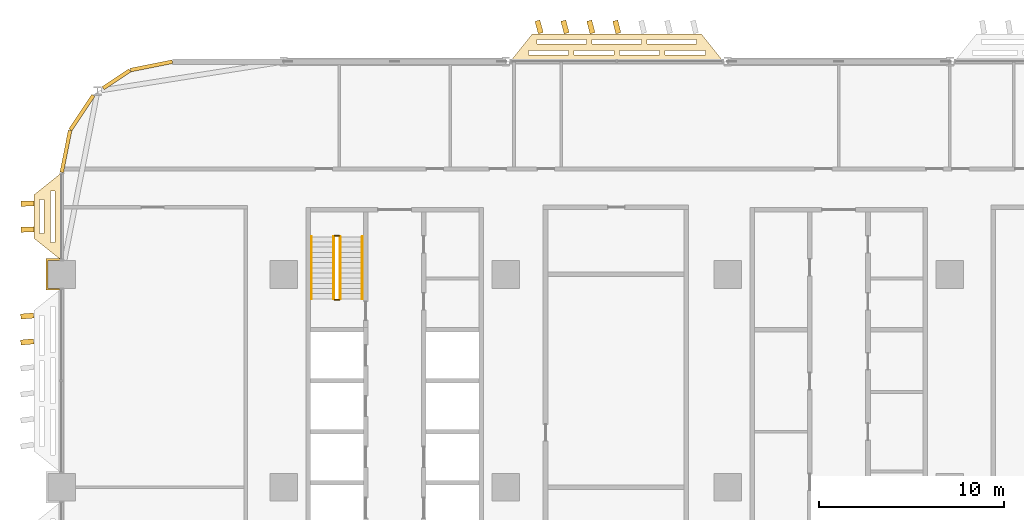
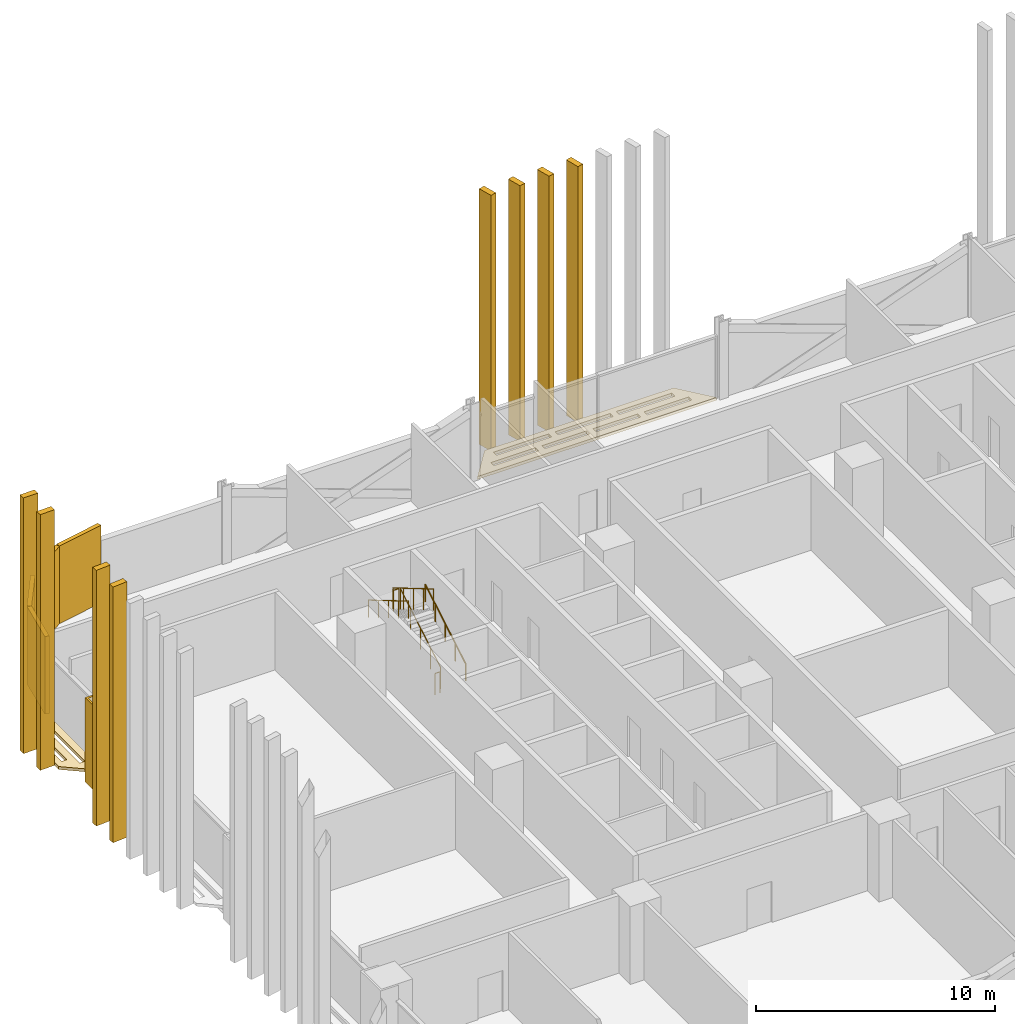
# One storey, part 26 of 29: 15 coverings, 6 railings.
"""IFC4 building model written with IfcOpenShell, lengths in metres."""

from ifc_helpers import new_model, si_unit, direction, frame, origin, origin_2d, place, context, subcontext, project, spatial, polyline, rectangle, circle, outline, extrude, material, layer, layer_set, type_object, element, save


model = new_model("IFC4")

# Units and contexts
model_context = context("Model", 3, precision=1e-05, world=origin(), true_north=direction((0.0, 1.0)))
body_context = subcontext(model_context, "Body", "Model", "MODEL_VIEW")
ifc_project = project(units=[si_unit("LENGTHUNIT", "METRE"), si_unit("AREAUNIT", "SQUARE_METRE"), si_unit("VOLUMEUNIT", "CUBIC_METRE"), si_unit("PLANEANGLEUNIT", "RADIAN"), si_unit("MASSUNIT", "GRAM", prefix="KILO")], contexts=[model_context])

# Site, building, storey
site_placement = place(None, origin())
site = spatial("IfcSite", under=ifc_project, at=site_placement, CompositionType="ELEMENT")
building_placement = place(site_placement, origin())
building = spatial("IfcBuilding", under=site, at=building_placement, Name="Mahtab Terrace Research Tower", CompositionType="ELEMENT")
storey_placement = place(building_placement, frame((0.0, 0.0, 63.199951171875)))
storey = spatial("IfcBuildingStorey", under=building, at=storey_placement, Name="L14", CompositionType="ELEMENT", Elevation=63.199951171875)

# Coverings
ifc_material_1 = material(Name="Black aluminium cladding panel", Category="aluminium")
ifc_layer_1 = layer(ifc_material_1, 0.199951171875)
ifc_layer_set_1 = layer_set([ifc_layer_1], Name="Black metal corner cladding 200")
covering_type_1 = type_object("IfcCoveringType", Name="Black metal corner cladding 200", PredefinedType="CLADDING", material=ifc_layer_set_1)
covering_1_placement = place(storey_placement, frame((-37.14794921875, 22.771484375, 0.0), z_axis=(0.0, 0.0, 1.0), x_axis=(-0.980760981187, -0.195212442692, 0.0)))
element("IfcCovering", 1, at=covering_1_placement, inside=storey, type_object=covering_type_1, Name="Corner cladding L14 11", PredefinedType="CLADDING", context=body_context, shape_type="SweptSolid", body=[
    extrude(rectangle(XDim=2.30126953125, YDim=0.199951171875, at=origin_2d()), origin(), (0.0, 0.0, 1.0), 3.9599609375),
])
covering_2_placement = place(storey_placement, frame((-39.0380859375, 22.047607421875, 0.0), z_axis=(0.0, 0.0, 1.0), x_axis=(-0.831655794326, -0.555291490808, 0.0)))
element("IfcCovering", 2, at=covering_2_placement, inside=storey, type_object=covering_type_1, Name="Corner cladding L14 12", PredefinedType="CLADDING", context=body_context, shape_type="SweptSolid", body=[
    extrude(rectangle(XDim=1.74462890625, YDim=0.199951171875, at=origin_2d()), origin(), (0.0, 0.0, 1.0), 3.9599609375),
])
covering_3_placement = place(storey_placement, frame((-40.911376953125, 20.2421875, 0.0), z_axis=(0.0, 0.0, 1.0), x_axis=(-0.555291490808, -0.831655794326, 0.0)))
element("IfcCovering", 3, at=covering_3_placement, inside=storey, type_object=covering_type_1, Name="Corner cladding L14 13", PredefinedType="CLADDING", context=body_context, shape_type="SweptSolid", body=[
    extrude(rectangle(XDim=2.235595703125, YDim=0.199951171875, at=origin_2d()), origin(), (0.0, 0.0, 1.0), 3.9599609375),
])
covering_4_placement = place(storey_placement, frame((-41.771484375, 18.14794921875, 0.0), z_axis=(0.0, 0.0, 1.0), x_axis=(-0.195212442692, -0.980760981187, 0.0)))
element("IfcCovering", 4, at=covering_4_placement, inside=storey, type_object=covering_type_1, Name="Corner cladding L14 14", PredefinedType="CLADDING", context=body_context, shape_type="SweptSolid", body=[
    extrude(rectangle(XDim=2.30126953125, YDim=0.199951171875, at=origin_2d()), origin(), (0.0, 0.0, 1.0), 3.9599609375),
])
ifc_material_2 = material(Name="Dark anodised aluminium cladding", Category="aluminium")
ifc_layer_2 = layer(ifc_material_2, 0.10009765625)
ifc_layer_set_2 = layer_set([ifc_layer_2], Name="Column casing 100")
covering_type_2 = type_object("IfcCoveringType", Name="Column casing 100", PredefinedType="CLADDING", material=ifc_layer_set_2)
covering_5_placement = place(storey_placement, frame((0.0, 0.0, -0.33984375)))
element("IfcCovering", 5, at=covering_5_placement, inside=storey, type_object=covering_type_2, Name="Column casing RC-1C L14", PredefinedType="CLADDING", context=body_context, shape_type="SweptSolid", body=[
    extrude(outline(polyline([(-42.85009765625, 12.35009765625), (-42.0, 12.35009765625), (-42.0, 12.25), (-42.75, 12.25), (-42.75, 10.75), (-42.0, 10.75), (-42.0, 10.64990234375), (-42.85009765625, 10.64990234375), (-42.85009765625, 12.35009765625)])), origin(), (0.0, 0.0, 1.0), 4.2998046875),
])
ifc_material_3 = material(Name="Black anodised aluminium", Category="aluminium")
ifc_layer_3 = layer(ifc_material_3, 0.14990234375)
ifc_layer_set_3 = layer_set([ifc_layer_3], Name="Horizontal sunshade band")
covering_type_3 = type_object("IfcCoveringType", Name="Horizontal sunshade band", PredefinedType="CLADDING", material=ifc_layer_set_3)
covering_6_placement = place(storey_placement, frame((0.0, 0.0, -0.14990234375)))
element("IfcCovering", 6, at=covering_6_placement, inside=storey, type_object=covering_type_3, Name="Sunshade band L14 8", PredefinedType="CLADDING", context=body_context, shape_type="SweptSolid", body=[
    extrude(outline(polyline([(-6.238037109375, 23.0), (-17.761962890625, 23.0), (-16.56201171875, 24.5), (-7.43798828125, 24.5), (-6.238037109375, 23.0)]), holes=[polyline([(-7.218017578125, 23.35009765625), (-9.384033203125, 23.35009765625), (-9.384033203125, 23.60009765625), (-7.218017578125, 23.60009765625), (-7.218017578125, 23.35009765625)]), polyline([(-9.68408203125, 23.35009765625), (-11.85009765625, 23.35009765625), (-11.85009765625, 23.60009765625), (-9.68408203125, 23.60009765625), (-9.68408203125, 23.35009765625)]), polyline([(-12.14990234375, 23.35009765625), (-14.31591796875, 23.35009765625), (-14.31591796875, 23.60009765625), (-12.14990234375, 23.60009765625), (-12.14990234375, 23.35009765625)]), polyline([(-14.615966796875, 23.35009765625), (-16.781982421875, 23.35009765625), (-16.781982421875, 23.60009765625), (-14.615966796875, 23.60009765625), (-14.615966796875, 23.35009765625)]), polyline([(-7.697998046875, 23.949951171875), (-10.365966796875, 23.949951171875), (-10.365966796875, 24.199951171875), (-7.697998046875, 24.199951171875), (-7.697998046875, 23.949951171875)]), polyline([(-10.666015625, 23.949951171875), (-13.333984375, 23.949951171875), (-13.333984375, 24.199951171875), (-10.666015625, 24.199951171875), (-10.666015625, 23.949951171875)]), polyline([(-13.634033203125, 23.949951171875), (-16.302001953125, 23.949951171875), (-16.302001953125, 24.199951171875), (-13.634033203125, 24.199951171875), (-13.634033203125, 23.949951171875)])]), origin(), (0.0, 0.0, 1.0), 0.14990234375),
])
covering_7_placement = place(storey_placement, frame((0.0, 0.0, -0.14990234375)))
element("IfcCovering", 7, at=covering_7_placement, inside=storey, type_object=covering_type_3, Name="Sunshade band L14 15", PredefinedType="CLADDING", context=body_context, shape_type="SweptSolid", body=[
    extrude(outline(polyline([(-42.0, 17.0), (-42.0, 12.25), (-43.5, 13.449951171875), (-43.5, 15.800048828125), (-42.0, 17.0)]), holes=[polyline([(-42.35009765625, 16.02001953125), (-42.35009765625, 13.22998046875), (-42.60009765625, 13.22998046875), (-42.60009765625, 16.02001953125), (-42.35009765625, 16.02001953125)]), polyline([(-42.949951171875, 15.5400390625), (-42.949951171875, 13.7099609375), (-43.199951171875, 13.7099609375), (-43.199951171875, 15.5400390625), (-42.949951171875, 15.5400390625)])]), origin(), (0.0, 0.0, 1.0), 0.14990234375),
])

# Railings
ifc_material_4 = material(Name="Stainless steel AISI 304", Category="steel")
railing_type_1 = type_object("IfcRailingType", Name="Stair guard 1100", PredefinedType="GUARDRAIL", material=ifc_material_4)
railing_1_placement = place(storey_placement, frame((-26.949951171875, 10.175048828125, 0.16552734375)))
element("IfcRailing", 8, at=railing_1_placement, inside=storey, type_object=railing_type_1, Name="L14 ST1 stair guard 1", PredefinedType="GUARDRAIL", context=body_context, shape_type="SweptSolid", body=[
    extrude(circle(Radius=0.02392578125, at=origin_2d()), frame((0.0, 0.0, 1.076171875), z_axis=(0.0, 0.861011212953, 0.508585972249), x_axis=(-1.0, 0.0, 0.0)), (0.0, 0.0, 1.0), 3.90234375),
    extrude(circle(Radius=0.02099609375, at=origin_2d()), origin(), (0.0, 0.0, 1.0), 1.052001953125),
    extrude(circle(Radius=0.02099609375, at=origin_2d()), frame((0.0, 0.83984375, 0.49609375)), (0.0, 0.0, 1.0), 1.052001953125),
    extrude(circle(Radius=0.02099609375, at=origin_2d()), frame((0.0, 1.679931640625, 0.9921875)), (0.0, 0.0, 1.0), 1.052001953125),
    extrude(circle(Radius=0.02099609375, at=origin_2d()), frame((0.0, 2.52001953125, 1.488525390625)), (0.0, 0.0, 1.0), 1.052001953125),
    extrude(circle(Radius=0.02099609375, at=origin_2d()), frame((0.0, 3.35986328125, 1.984619140625)), (0.0, 0.0, 1.0), 1.052001953125),
])
railing_2_placement = place(storey_placement, frame((-27.0, 13.5849609375, 2.150146484375)))
element("IfcRailing", 9, at=railing_2_placement, inside=storey, type_object=railing_type_1, Name="L14 ST1 stair guard 2", PredefinedType="GUARDRAIL", context=body_context, shape_type="SweptSolid", body=[
    extrude(circle(Radius=0.02392578125, at=origin_2d()), frame((0.0, 0.0, 1.076171875), z_axis=(-1.0, 0.0, 0.0), x_axis=(0.0, -1.0, 0.0)), (0.0, 0.0, 1.0), 0.25),
    extrude(circle(Radius=0.02099609375, at=origin_2d()), origin(), (0.0, 0.0, 1.0), 1.052001953125),
    extrude(circle(Radius=0.02099609375, at=origin_2d()), frame((-0.25, 0.0, 0.0)), (0.0, 0.0, 1.0), 1.052001953125),
])
railing_3_placement = place(storey_placement, frame((-27.300048828125, 13.534912109375, 2.3154296875)))
element("IfcRailing", 10, at=railing_3_placement, inside=storey, type_object=railing_type_1, Name="L14 ST1 stair guard 3", PredefinedType="GUARDRAIL", context=body_context, shape_type="SweptSolid", body=[
    extrude(circle(Radius=0.02392578125, at=origin_2d()), frame((0.0, 0.0, 1.076171875), z_axis=(0.0, -0.861011212953, 0.508585972249), x_axis=(1.0, 0.0, 0.0)), (0.0, 0.0, 1.0), 3.90234375),
    extrude(circle(Radius=0.02099609375, at=origin_2d()), origin(), (0.0, 0.0, 1.0), 1.052001953125),
    extrude(circle(Radius=0.02099609375, at=origin_2d()), frame((0.0, -0.83984375, 0.49609375)), (0.0, 0.0, 1.0), 1.052001953125),
    extrude(circle(Radius=0.02099609375, at=origin_2d()), frame((0.0, -1.679931640625, 0.9921875)), (0.0, 0.0, 1.0), 1.052001953125),
    extrude(circle(Radius=0.02099609375, at=origin_2d()), frame((0.0, -2.52001953125, 1.488525390625)), (0.0, 0.0, 1.0), 1.052001953125),
    extrude(circle(Radius=0.02099609375, at=origin_2d()), frame((0.0, -3.35986328125, 1.984619140625)), (0.0, 0.0, 1.0), 1.052001953125),
])
railing_4_placement = place(storey_placement, frame((-27.0, 10.125, 0.0)))
element("IfcRailing", 11, at=railing_4_placement, inside=storey, type_object=railing_type_1, Name="L14 ST1 stair guard 4", PredefinedType="GUARDRAIL", context=body_context, shape_type="SweptSolid", body=[
    extrude(circle(Radius=0.02392578125, at=origin_2d()), frame((0.0, 0.0, 1.076171875), z_axis=(-1.0, 0.0, 0.0), x_axis=(0.0, -1.0, 0.0)), (0.0, 0.0, 1.0), 0.25),
    extrude(circle(Radius=0.02099609375, at=origin_2d()), origin(), (0.0, 0.0, 1.0), 1.052001953125),
    extrude(circle(Radius=0.02099609375, at=origin_2d()), frame((-0.25, 0.0, 0.0)), (0.0, 0.0, 1.0), 1.052001953125),
])
railing_type_2 = type_object("IfcRailingType", Name="Stair handrail 900", PredefinedType="HANDRAIL", material=ifc_material_4)
railing_5_placement = place(storey_placement, frame((-25.75, 10.175048828125, 0.16552734375)))
element("IfcRailing", 12, at=railing_5_placement, inside=storey, type_object=railing_type_2, Name="L14 ST1 stair handrail 1", PredefinedType="HANDRAIL", context=body_context, shape_type="SweptSolid", body=[
    extrude(circle(Radius=0.02392578125, at=origin_2d()), frame((0.0, 0.0, 0.8759765625), z_axis=(0.0, 0.861011212953, 0.508585972249), x_axis=(-1.0, 0.0, 0.0)), (0.0, 0.0, 1.0), 3.90234375),
    extrude(circle(Radius=0.02099609375, at=origin_2d()), origin(), (0.0, 0.0, 1.0), 0.851806640625),
    extrude(circle(Radius=0.02099609375, at=origin_2d()), frame((0.0, 0.83984375, 0.49609375)), (0.0, 0.0, 1.0), 0.851806640625),
    extrude(circle(Radius=0.02099609375, at=origin_2d()), frame((0.0, 1.679931640625, 0.9921875)), (0.0, 0.0, 1.0), 0.851806640625),
    extrude(circle(Radius=0.02099609375, at=origin_2d()), frame((0.0, 2.52001953125, 1.488525390625)), (0.0, 0.0, 1.0), 0.851806640625),
    extrude(circle(Radius=0.02099609375, at=origin_2d()), frame((0.0, 3.35986328125, 1.984619140625)), (0.0, 0.0, 1.0), 0.851806640625),
])
railing_6_placement = place(storey_placement, frame((-28.5, 13.534912109375, 2.3154296875)))
element("IfcRailing", 13, at=railing_6_placement, inside=storey, type_object=railing_type_2, Name="L14 ST1 stair handrail 2", PredefinedType="HANDRAIL", context=body_context, shape_type="SweptSolid", body=[
    extrude(circle(Radius=0.02392578125, at=origin_2d()), frame((0.0, 0.0, 0.8759765625), z_axis=(0.0, -0.861011212953, 0.508585972249), x_axis=(1.0, 0.0, 0.0)), (0.0, 0.0, 1.0), 3.90234375),
    extrude(circle(Radius=0.02099609375, at=origin_2d()), origin(), (0.0, 0.0, 1.0), 0.851806640625),
    extrude(circle(Radius=0.02099609375, at=origin_2d()), frame((0.0, -0.83984375, 0.49609375)), (0.0, 0.0, 1.0), 0.851806640625),
    extrude(circle(Radius=0.02099609375, at=origin_2d()), frame((0.0, -1.679931640625, 0.9921875)), (0.0, 0.0, 1.0), 0.851806640625),
    extrude(circle(Radius=0.02099609375, at=origin_2d()), frame((0.0, -2.52001953125, 1.488525390625)), (0.0, 0.0, 1.0), 0.851806640625),
    extrude(circle(Radius=0.02099609375, at=origin_2d()), frame((0.0, -3.35986328125, 1.984619140625)), (0.0, 0.0, 1.0), 0.851806640625),
])

# Coverings
ifc_material_5 = material(Name="Bronze anodised aluminium", Category="aluminium")
ifc_layer_4 = layer(ifc_material_5, 0.1201171875)
ifc_layer_set_4 = layer_set([ifc_layer_4], Name="Vertical fin 700")
covering_type_4 = type_object("IfcCoveringType", Name="Vertical fin 700", PredefinedType="CLADDING", material=ifc_layer_set_4)
for number, where, z_axis, x_axis, name in (
    (14, (-12.0, 24.873779296875, -0.14990234375), (0.0, 0.0, 1.0), (-0.969077286228, -0.246757397695, 0.0), "Fin L14 N4"),
    (15, (-13.39990234375, 24.8740234375, -0.14990234375), (0.0, 0.0, 1.0), (-0.967625318147, -0.252391053092, 0.0), "Fin L14 N5"),
    (16, (-14.800048828125, 24.874267578125, -0.14990234375), (0.0, 0.0, 1.0), (-0.966140599544, -0.25801616599, 0.0), "Fin L14 N6"),
    (17, (-16.199951171875, 24.87451171875, -0.14990234375), (0.0, 0.0, 1.0), (-0.964623180667, -0.263632546017, 0.0), "Fin L14 N7"),
    (18, (-43.852294921875, 15.324951171875, -0.14990234375), (0.0, 0.0, 1.0), (0.017195778896, -0.999852141663, 0.0), "Fin L14 W1"),
    (19, (-43.854248046875, 13.925048828125, -0.14990234375), (0.0, 0.0, 1.0), (0.031564682348, -0.999501711268, 0.0), "Fin L14 W2"),
    (20, (-43.860107421875, 9.25, -0.14990234375), (0.0, 0.0, 1.0), (0.079482553594, -0.996836257203, 0.0), "Fin L14 W1"),
    (21, (-43.861572265625, 7.85009765625, -0.14990234375), (0.0, 0.0, 1.0), (0.093801676489, -0.995590902674, 0.0), "Fin L14 W2"),
):
    element("IfcCovering", number, at=place(storey_placement, frame(where, z_axis=z_axis, x_axis=x_axis)), inside=storey, type_object=covering_type_4, Name=name, PredefinedType="CLADDING", context=body_context, shape_type="SweptSolid", body=[
        extrude(rectangle(XDim=0.280029296875, YDim=0.699951171875, at=origin_2d()), origin(), (0.0, 0.0, 1.0), 13.050048828125),
    ])

save(model, "model.ifc")
